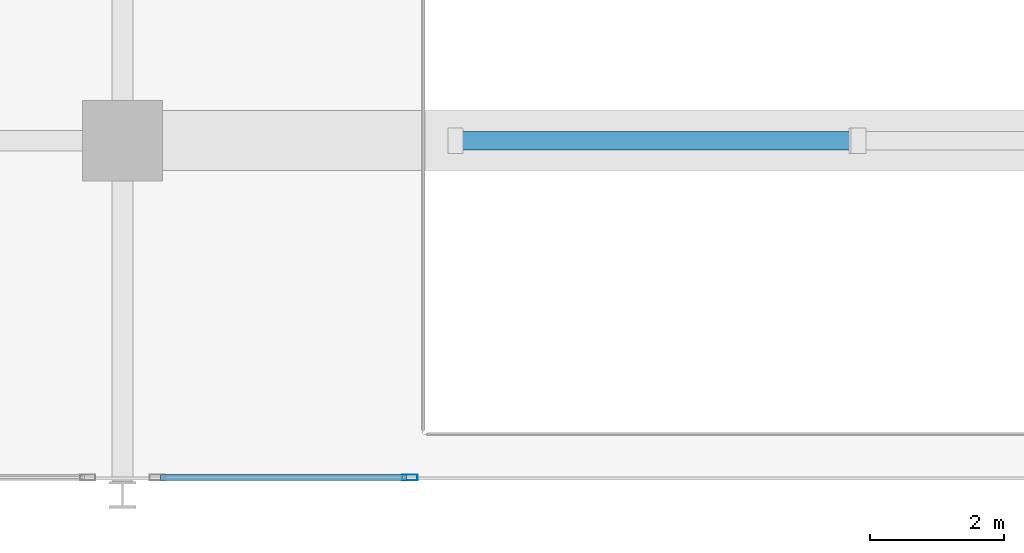
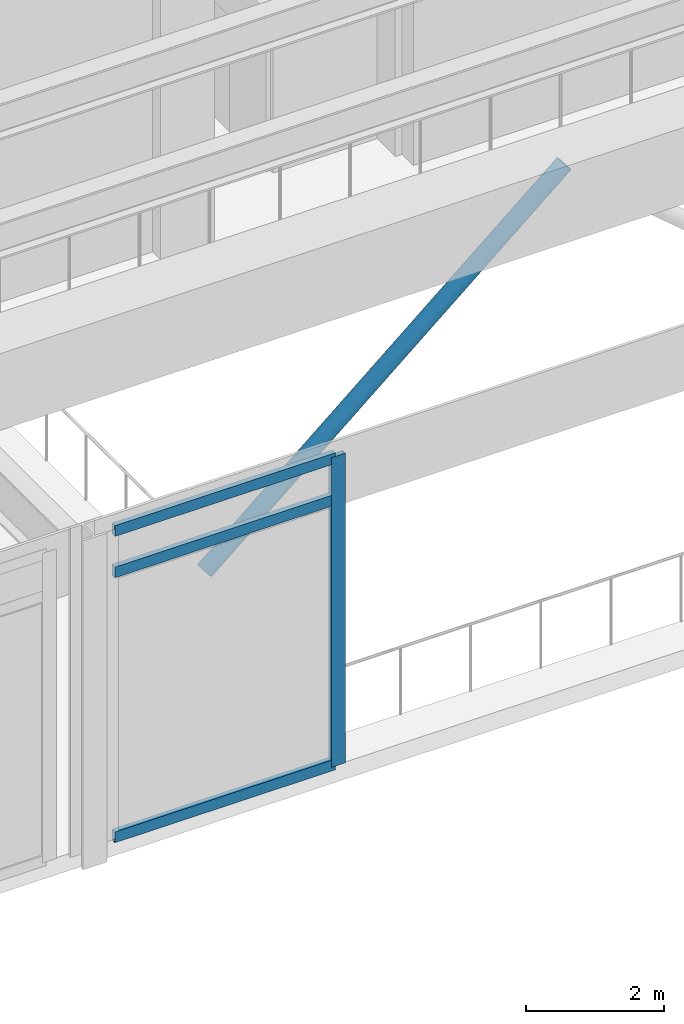
# One storey, part 4 of 25: 5 members, 1 element without a shape of its own.
"""IFC4 building model written with IfcOpenShell, lengths in metres."""

from ifc_helpers import new_model, si_unit, direction, frame, origin, origin_2d, place, context, subcontext, project, spatial, hollow_rectangle, hollow_circle, extrude, material, material_profile, profile_set, type_object, element, aggregate, save


model = new_model("IFC4")

# Units and contexts
model_context = context("Model", 3, precision=1e-05, world=origin(), true_north=direction((0.0, 1.0)))
body_context = subcontext(model_context, "Body", "Model", "MODEL_VIEW")
ifc_project = project(units=[si_unit("LENGTHUNIT", "METRE"), si_unit("AREAUNIT", "SQUARE_METRE"), si_unit("VOLUMEUNIT", "CUBIC_METRE"), si_unit("PLANEANGLEUNIT", "RADIAN"), si_unit("MASSUNIT", "GRAM", prefix="KILO")], contexts=[model_context])

# Site, building, storey
site_placement = place(None, origin())
site = spatial("IfcSite", under=ifc_project, at=site_placement, CompositionType="ELEMENT")
building_placement = place(site_placement, origin())
building = spatial("IfcBuilding", under=site, at=building_placement, Name="Kovane Verandah Tower", CompositionType="ELEMENT")
storey_placement = place(building_placement, frame((0.0, 0.0, 295.199951171875)))
storey = spatial("IfcBuildingStorey", under=building, at=storey_placement, Name="L69", CompositionType="ELEMENT", Elevation=295.199951171875)

# Curtain wall, members
ifc_material_1 = material(Name="Champagne Anodised Aluminium Frame with Low-E Clear Laminated Glass", Category="aluminium")
curtain_wall_type = type_object("IfcCurtainWallType", Name="CW-SYS-05-HIGH", PredefinedType="NOTDEFINED", material=ifc_material_1)
curtain_wall_placement = place(storey_placement, origin())
curtain_wall = element("IfcCurtainWall", 1, at=curtain_wall_placement, inside=storey, type_object=curtain_wall_type, Name="L69 South-West Wind-Portal Curtain Wall 2", PredefinedType="NOTDEFINED")
ifc_material_2 = material(Name="Champagne Anodised Aluminium 6063-T6", Category="aluminium")
ifc_material_profile_1 = material_profile(ifc_material_2, hollow_rectangle(XDim=0.0849609375, YDim=0.22998046875, WallThickness=0.00390625, at=origin_2d()), Name="AL85x230x4")
ifc_profile_set_1 = profile_set([ifc_material_profile_1], Name="Champagne Anodised Aluminium 6063-T6")
member_type_1 = type_object("IfcMemberType", Name="CW-MUL-85x230", PredefinedType="MULLION", material=ifc_profile_set_1)
member_1_placement = place(storey_placement, frame((33.300048828125, 5.75830078125, 0.02001953125), z_axis=(0.0, 0.0, 1.0), x_axis=(0.0, -1.0, 0.0)))
member_1 = element("IfcMember", 2, at=member_1_placement, type_object=member_type_1, Name="L69 South-West Wind-Portal Curtain Wall 2 Mullion 2", PredefinedType="MULLION", context=body_context, shape_type="SweptSolid", body=[
    extrude(hollow_rectangle(XDim=0.0849609375, YDim=0.22998046875, WallThickness=0.00390625, at=origin_2d()), origin(), (0.0, 0.0, 1.0), 5.4599609375),
])
ifc_material_profile_2 = material_profile(ifc_material_2, hollow_rectangle(XDim=0.0849609375, YDim=0.18994140625, WallThickness=0.00390625, at=origin_2d()), Name="AL85x190x4")
ifc_profile_set_2 = profile_set([ifc_material_profile_2], Name="Champagne Anodised Aluminium 6063-T6")
member_type_2 = type_object("IfcMemberType", Name="CW-TRN-85x190", PredefinedType="USERDEFINED", material=ifc_profile_set_2)
member_2_placement = place(storey_placement, frame((29.570068359375, 5.75830078125, 0.050048828125), z_axis=(1.0, 0.0, 0.0), x_axis=(0.0, 1.0, 0.0)))
member_2 = element("IfcMember", 3, at=member_2_placement, type_object=member_type_2, Name="L69 South-West Wind-Portal Curtain Wall 2 Transom TB Bay 1", ObjectType="TRANSOM", PredefinedType="USERDEFINED", context=body_context, shape_type="SweptSolid", body=[
    extrude(hollow_rectangle(XDim=0.0849609375, YDim=0.18994140625, WallThickness=0.00390625, at=origin_2d()), origin(), (0.0, 0.0, 1.0), 3.679931640625),
])
member_3_placement = place(storey_placement, frame((29.570068359375, 5.75830078125, 4.719970703125), z_axis=(1.0, 0.0, 0.0), x_axis=(0.0, 1.0, 0.0)))
member_3 = element("IfcMember", 4, at=member_3_placement, type_object=member_type_2, Name="L69 South-West Wind-Portal Curtain Wall 2 Transom TM Bay 1", ObjectType="TRANSOM", PredefinedType="USERDEFINED", context=body_context, shape_type="SweptSolid", body=[
    extrude(hollow_rectangle(XDim=0.0849609375, YDim=0.18994140625, WallThickness=0.00390625, at=origin_2d()), origin(), (0.0, 0.0, 1.0), 3.679931640625),
])
member_4_placement = place(storey_placement, frame((29.570068359375, 5.75830078125, 5.449951171875), z_axis=(1.0, 0.0, 0.0), x_axis=(0.0, 1.0, 0.0)))
member_4 = element("IfcMember", 5, at=member_4_placement, type_object=member_type_2, Name="L69 South-West Wind-Portal Curtain Wall 2 Transom TT Bay 1", ObjectType="TRANSOM", PredefinedType="USERDEFINED", context=body_context, shape_type="SweptSolid", body=[
    extrude(hollow_rectangle(XDim=0.0849609375, YDim=0.18994140625, WallThickness=0.00390625, at=origin_2d()), origin(), (0.0, 0.0, 1.0), 3.679931640625),
])
aggregate(curtain_wall, [member_1, member_2, member_3, member_4])

# Member
ifc_material_3 = material(Name="Steel S355", Category="steel")
ifc_material_profile_3 = material_profile(ifc_material_3, hollow_circle(Radius=0.136474609375, WallThickness=0.010009765625, at=origin_2d()), Name="CHS273x10")
ifc_profile_set_3 = profile_set([ifc_material_profile_3], Name="Steel S355")
member_type_3 = type_object("IfcMemberType", Name="MEM-STRUT-CHS273", PredefinedType="STRUT", material=ifc_profile_set_3)
member_5_placement = place(storey_placement, frame((34.0, 10.800048828125, 0.1201171875), z_axis=(0.763203673849, 0.0, 0.646157993236), x_axis=(0.0, 1.0, 0.0)))
element("IfcMember", 6, at=member_5_placement, inside=storey, type_object=member_type_3, Name="L69 Wind-Portal Aerodynamic V-Strut 2A", PredefinedType="STRUT", context=body_context, shape_type="SweptSolid", body=[
    extrude(hollow_circle(Radius=0.136474609375, WallThickness=0.010009765625, at=origin_2d()), origin(), (0.0, 0.0, 1.0), 7.861572265625),
])

save(model, "model.ifc")
